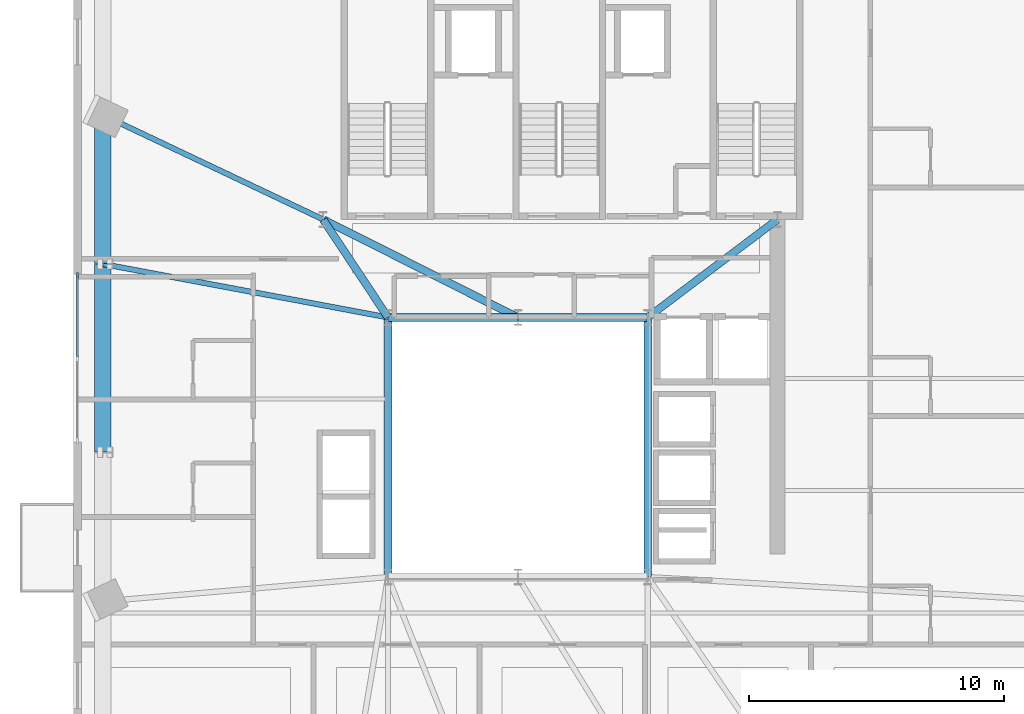
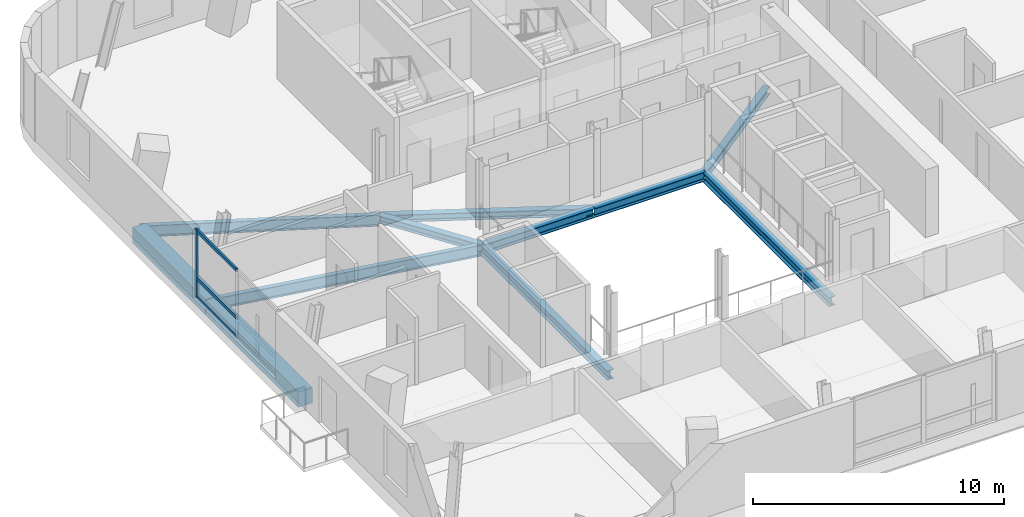
# One storey, part 3 of 13: 11 beams, 4 members, 1 element without a shape of its own.
"""IFC4 building model written with IfcOpenShell, lengths in metres."""

from ifc_helpers import new_model, si_unit, direction, frame, origin, origin_2d, place, context, subcontext, project, spatial, rectangle, i_section, extrude, source, transform, mapped, material, material_profile, profile_set, type_object, element, aggregate, save


model = new_model("IFC4")

# Units and contexts
model_context = context("Model", 3, precision=1e-05, world=origin(), true_north=direction((0.0, 1.0)))
body_context = subcontext(model_context, "Body", "Model", "MODEL_VIEW")
ifc_project = project(units=[si_unit("LENGTHUNIT", "METRE"), si_unit("AREAUNIT", "SQUARE_METRE"), si_unit("VOLUMEUNIT", "CUBIC_METRE"), si_unit("PLANEANGLEUNIT", "RADIAN"), si_unit("MASSUNIT", "GRAM", prefix="KILO")], contexts=[model_context])

# Site, building, storey
site_placement = place(None, origin())
site = spatial("IfcSite", under=ifc_project, at=site_placement, CompositionType="ELEMENT")
building_placement = place(site_placement, origin())
building = spatial("IfcBuilding", under=site, at=building_placement, Name="Vardaveli Station Tower", CompositionType="ELEMENT")
storey_placement = place(building_placement, frame((0.0, 0.0, 278.25)))
storey = spatial("IfcBuildingStorey", under=building, at=storey_placement, Name="L71", CompositionType="ELEMENT", Elevation=278.25)

# Beams
ifc_material_1 = material(Name="Structural steel S355J2", Category="steel")
ifc_material_profile_1 = material_profile(ifc_material_1, i_section(OverallWidth=0.300048828125, OverallDepth=0.449951171875, WebThickness=0.013916015625, FlangeThickness=0.02587890625, FilletRadius=0.027099609375, at=origin_2d()), Name="HEB 450")
ifc_profile_set_1 = profile_set([ifc_material_profile_1], Name="Structural steel S355J2")
beam_type_1 = type_object("IfcBeamType", Name="BM-HEB450", PredefinedType="BEAM", material=ifc_profile_set_1)
shared_shape_1 = source(origin(), body_context, "Body", "SweptSolid", [
    extrude(i_section(OverallWidth=0.300048828125, OverallDepth=0.449951171875, WebThickness=0.013916015625, FlangeThickness=0.02587890625, FilletRadius=0.027099609375, at=origin_2d()), origin(), (0.0, 0.0, 1.0), 5.06005859375),
])
beam_1_placement = place(storey_placement, frame((36.280029296875, 26.800048828125, -0.875), z_axis=(-1.0, 0.0, 0.0), x_axis=(0.0, -1.0, 0.0)))
element("IfcBeam", 1, at=beam_1_placement, inside=storey, type_object=beam_type_1, Name="ABM-L71-05", PredefinedType="BEAM", context=body_context, shape_type="MappedRepresentation", body=[
    mapped(shared_shape_1, transform((0.0, 0.0, 0.0), scale=1.0)),
])
shared_shape_2 = source(origin(), body_context, "Body", "SweptSolid", [
    extrude(i_section(OverallWidth=0.300048828125, OverallDepth=0.449951171875, WebThickness=0.013916015625, FlangeThickness=0.02587890625, FilletRadius=0.027099609375, at=origin_2d()), origin(), (0.0, 0.0, 1.0), 5.059814453125),
])
beam_2_placement = place(storey_placement, frame((41.3798828125, 26.800048828125, -0.875), z_axis=(-1.0, 0.0, 0.0), x_axis=(0.0, -1.0, 0.0)))
element("IfcBeam", 2, at=beam_2_placement, inside=storey, type_object=beam_type_1, Name="ABM-L71-04", PredefinedType="BEAM", context=body_context, shape_type="MappedRepresentation", body=[
    mapped(shared_shape_2, transform((0.0, 0.0, 0.0), scale=1.0)),
])
shared_shape_3 = source(origin(), body_context, "Body", "SweptSolid", [
    extrude(i_section(OverallWidth=0.300048828125, OverallDepth=0.449951171875, WebThickness=0.013916015625, FlangeThickness=0.02587890625, FilletRadius=0.027099609375, at=origin_2d()), origin(), (0.0, 0.0, 1.0), 10.159912109375),
])
for number, where, z_axis, x_axis, name in (
    (3, (41.39990234375, 16.6201171875, -0.875), (0.0, 1.0, 0.0), (-1.0, 0.0, 0.0), "ABM-L71-03"),
    (4, (31.199951171875, 26.780029296875, -0.875), (0.0, -1.0, 0.0), (1.0, 0.0, 0.0), "ABM-L71-06"),
):
    element("IfcBeam", number, at=place(storey_placement, frame(where, z_axis=z_axis, x_axis=x_axis)), inside=storey, type_object=beam_type_1, Name=name, PredefinedType="BEAM", context=body_context, shape_type="MappedRepresentation", body=[
        mapped(shared_shape_3, transform((0.0, 0.0, 0.0), scale=1.0)),
    ])
ifc_material_profile_2 = material_profile(ifc_material_1, i_section(OverallWidth=0.300048828125, OverallDepth=0.360107421875, WebThickness=0.012451171875, FlangeThickness=0.0224609375, FilletRadius=0.027099609375, at=origin_2d()), Name="HEB 360")
ifc_profile_set_2 = profile_set([ifc_material_profile_2], Name="Structural steel S355J2")
beam_type_2 = type_object("IfcBeamType", Name="BM-HEB360", PredefinedType="BEAM", material=ifc_profile_set_2)
shared_shape_4 = source(origin(), body_context, "Body", "SweptSolid", [
    extrude(i_section(OverallWidth=0.300048828125, OverallDepth=0.360107421875, WebThickness=0.012451171875, FlangeThickness=0.0224609375, FilletRadius=0.027099609375, at=origin_2d()), origin(), (0.0, 0.0, 1.0), 4.577880859375),
])
beam_3_placement = place(storey_placement, frame((31.18896484375, 26.816650390625, -0.830078125), z_axis=(-0.55218702139, 0.833720272879, 0.0), x_axis=(-0.833720272879, -0.55218702139, 0.0)))
element("IfcBeam", 5, at=beam_3_placement, inside=storey, type_object=beam_type_2, Name="CBM-L71-01", PredefinedType="BEAM", context=body_context, shape_type="MappedRepresentation", body=[
    mapped(shared_shape_4, transform((0.0, 0.0, 0.0), scale=1.0)),
])
shared_shape_5 = source(origin(), body_context, "Body", "SweptSolid", [
    extrude(i_section(OverallWidth=0.300048828125, OverallDepth=0.360107421875, WebThickness=0.012451171875, FlangeThickness=0.0224609375, FilletRadius=0.027099609375, at=origin_2d()), origin(), (0.0, 0.0, 1.0), 6.35009765625),
])
beam_4_placement = place(storey_placement, frame((41.416015625, 26.81201171875, -0.830078125), z_axis=(0.798118337722, 0.602500721154, 0.0), x_axis=(-0.602500721154, 0.798118337722, 0.0)))
element("IfcBeam", 6, at=beam_4_placement, inside=storey, type_object=beam_type_2, Name="CBM-L71-02", PredefinedType="BEAM", context=body_context, shape_type="MappedRepresentation", body=[
    mapped(shared_shape_5, transform((0.0, 0.0, 0.0), scale=1.0)),
])
shared_shape_6 = source(origin(), body_context, "Body", "SweptSolid", [
    extrude(i_section(OverallWidth=0.300048828125, OverallDepth=0.360107421875, WebThickness=0.012451171875, FlangeThickness=0.0224609375, FilletRadius=0.027099609375, at=origin_2d()), origin(), (0.0, 0.0, 1.0), 8.524169921875),
])
beam_5_placement = place(storey_placement, frame((28.66796875, 30.64111328125, -0.830078125), z_axis=(0.893255584708, -0.449549174605, 0.0), x_axis=(0.449549174605, 0.893255584708, 0.0)))
element("IfcBeam", 7, at=beam_5_placement, inside=storey, type_object=beam_type_2, Name="CBM-L71-03", PredefinedType="BEAM", context=body_context, shape_type="MappedRepresentation", body=[
    mapped(shared_shape_6, transform((0.0, 0.0, 0.0), scale=1.0)),
])
ifc_material_2 = material(Name="Precast concrete C45/55", Category="concrete")
ifc_material_profile_3 = material_profile(ifc_material_2, rectangle(XDim=0.64990234375, YDim=0.75, at=origin_2d()), Name="LPB 650x750")
ifc_profile_set_3 = profile_set([ifc_material_profile_3], Name="Precast concrete C45/55")
beam_type_3 = type_object("IfcBeamType", Name="BM-LPB-750", PredefinedType="BEAM", material=ifc_profile_set_3)
shared_shape_7 = source(origin(), body_context, "Body", "SweptSolid", [
    extrude(rectangle(XDim=0.64990234375, YDim=0.75, at=origin_2d()), origin(), (0.0, 0.0, 1.0), 7.35986328125),
])
beam_6_placement = place(storey_placement, frame((19.989990234375, 28.8798828125, -1.02490234375), z_axis=(0.0, -1.0, 0.0), x_axis=(1.0, 0.0, 0.0)))
element("IfcBeam", 8, at=beam_6_placement, inside=storey, type_object=beam_type_3, Name="RBM-L71-20", PredefinedType="BEAM", context=body_context, shape_type="MappedRepresentation", body=[
    mapped(shared_shape_7, transform((0.0, 0.0, 0.0), scale=1.0)),
])
shared_shape_8 = source(origin(), body_context, "Body", "SweptSolid", [
    extrude(rectangle(XDim=0.64990234375, YDim=0.75, at=origin_2d()), origin(), (0.0, 0.0, 1.0), 5.815673828125),
])
beam_7_placement = place(storey_placement, frame((19.989990234375, 34.735595703125, -1.02490234375), z_axis=(0.0, -1.0, 0.0), x_axis=(1.0, 0.0, 0.0)))
element("IfcBeam", 9, at=beam_7_placement, inside=storey, type_object=beam_type_3, Name="RBM-L71-19", PredefinedType="BEAM", context=body_context, shape_type="MappedRepresentation", body=[
    mapped(shared_shape_8, transform((0.0, 0.0, 0.0), scale=1.0)),
])
ifc_material_profile_4 = material_profile(ifc_material_1, i_section(OverallWidth=0.2099609375, OverallDepth=0.550048828125, WebThickness=0.010986328125, FlangeThickness=0.01708984375, FilletRadius=0.02392578125, at=origin_2d()), Name="IPE 550")
ifc_profile_set_4 = profile_set([ifc_material_profile_4], Name="Structural steel S355J2")
beam_type_4 = type_object("IfcBeamType", Name="BM-IPE550", PredefinedType="BEAM", material=ifc_profile_set_4)
shared_shape_9 = source(origin(), body_context, "Body", "SweptSolid", [
    extrude(i_section(OverallWidth=0.2099609375, OverallDepth=0.550048828125, WebThickness=0.010986328125, FlangeThickness=0.01708984375, FilletRadius=0.02392578125, at=origin_2d()), origin(), (0.0, 0.0, 1.0), 11.364990234375),
])
beam_8_placement = place(storey_placement, frame((20.009765625, 28.896240234375, -0.925048828125), z_axis=(0.982903544348, -0.184121216886, 0.0), x_axis=(0.184121216886, 0.982903544348, 0.0)))
element("IfcBeam", 10, at=beam_8_placement, inside=storey, type_object=beam_type_4, Name="GBM-L71-08", PredefinedType="BEAM", context=body_context, shape_type="MappedRepresentation", body=[
    mapped(shared_shape_9, transform((0.0, 0.0, 0.0), scale=1.0)),
])
shared_shape_10 = source(origin(), body_context, "Body", "SweptSolid", [
    extrude(i_section(OverallWidth=0.2099609375, OverallDepth=0.550048828125, WebThickness=0.010986328125, FlangeThickness=0.01708984375, FilletRadius=0.02392578125, at=origin_2d()), origin(), (0.0, 0.0, 1.0), 9.5439453125),
])
beam_9_placement = place(storey_placement, frame((20.008056640625, 34.7470703125, -0.925048828125), z_axis=(0.903588813926, -0.428400811563, 0.0), x_axis=(0.428400811563, 0.903588813926, 0.0)))
element("IfcBeam", 11, at=beam_9_placement, inside=storey, type_object=beam_type_4, Name="GBM-L71-12", PredefinedType="BEAM", context=body_context, shape_type="MappedRepresentation", body=[
    mapped(shared_shape_10, transform((0.0, 0.0, 0.0), scale=1.0)),
])

# Curtain wall, members
ifc_material_3 = material(Name="Travertine stone and solar-control glass", Category="masonry")
curtain_wall_type = type_object("IfcCurtainWallType", Name="CW-SYS-5", PredefinedType="NOTDEFINED", material=ifc_material_3)
curtain_wall_placement = place(storey_placement, origin())
curtain_wall = element("IfcCurtainWall", 12, at=curtain_wall_placement, inside=storey, type_object=curtain_wall_type, Name="CW-L71-W", PredefinedType="NOTDEFINED")
ifc_material_4 = material(Name="Anodised aluminium alloy 6063-T6", Category="aluminium")
ifc_material_profile_5 = material_profile(ifc_material_4, rectangle(XDim=0.080078125, YDim=0.1650390625, at=origin_2d()), Name="CWT 80x165")
ifc_profile_set_5 = profile_set([ifc_material_profile_5], Name="Anodised aluminium alloy 6063-T6")
member_type_1 = type_object("IfcMemberType", Name="CW-SYS-5-TRAN", PredefinedType="NOTDEFINED", material=ifc_profile_set_5)
shared_shape_11 = source(origin(), body_context, "Body", "SweptSolid", [
    extrude(rectangle(XDim=0.080078125, YDim=0.1650390625, at=origin_2d()), origin(), (0.0, 0.0, 1.0), 3.179931640625),
])
member_1_placement = place(storey_placement, frame((19.0, 28.419921875, 0.0400390625), z_axis=(0.0, -1.0, 0.0), x_axis=(1.0, 0.0, 0.0)))
member_1 = element("IfcMember", 13, at=member_1_placement, type_object=member_type_1, Name="CW-5 transom 1.1", ObjectType="TRANSOM", PredefinedType="USERDEFINED", context=body_context, shape_type="MappedRepresentation", body=[
    mapped(shared_shape_11, transform((0.0, 0.0, 0.0), scale=1.0)),
])
member_2_placement = place(storey_placement, frame((19.0, 28.419921875, 0.949951171875), z_axis=(0.0, -1.0, 0.0), x_axis=(1.0, 0.0, 0.0)))
member_2 = element("IfcMember", 14, at=member_2_placement, type_object=member_type_1, Name="CW-5 transom 1.2", ObjectType="TRANSOM", PredefinedType="USERDEFINED", context=body_context, shape_type="MappedRepresentation", body=[
    mapped(shared_shape_11, transform((0.0, 0.0, 0.0), scale=1.0)),
])
member_3_placement = place(storey_placement, frame((19.0, 28.419921875, 3.260009765625), z_axis=(0.0, -1.0, 0.0), x_axis=(1.0, 0.0, 0.0)))
member_3 = element("IfcMember", 15, at=member_3_placement, type_object=member_type_1, Name="CW-5 transom 1.3", ObjectType="TRANSOM", PredefinedType="USERDEFINED", context=body_context, shape_type="MappedRepresentation", body=[
    mapped(shared_shape_11, transform((0.0, 0.0, 0.0), scale=1.0)),
])
ifc_material_profile_6 = material_profile(ifc_material_4, rectangle(XDim=0.080078125, YDim=0.205078125, at=origin_2d()), Name="CWM 80x205")
ifc_profile_set_6 = profile_set([ifc_material_profile_6], Name="Anodised aluminium alloy 6063-T6")
member_type_2 = type_object("IfcMemberType", Name="CW-SYS-5-MULL", PredefinedType="MULLION", material=ifc_profile_set_6)
shared_shape_12 = source(origin(), body_context, "Body", "SweptSolid", [
    extrude(rectangle(XDim=0.080078125, YDim=0.205078125, at=origin_2d()), origin(), (0.0, 0.0, 1.0), 3.300048828125),
])
member_4_placement = place(storey_placement, frame((19.0, 28.4599609375, 0.0), z_axis=(0.0, 0.0, 1.0), x_axis=(1.0, 0.0, 0.0)))
member_4 = element("IfcMember", 16, at=member_4_placement, type_object=member_type_2, Name="CW-5 mullion 1", PredefinedType="MULLION", context=body_context, shape_type="MappedRepresentation", body=[
    mapped(shared_shape_12, transform((0.0, 0.0, 0.0), scale=1.0)),
])
aggregate(curtain_wall, [member_4, member_1, member_2, member_3])

save(model, "model.ifc")
